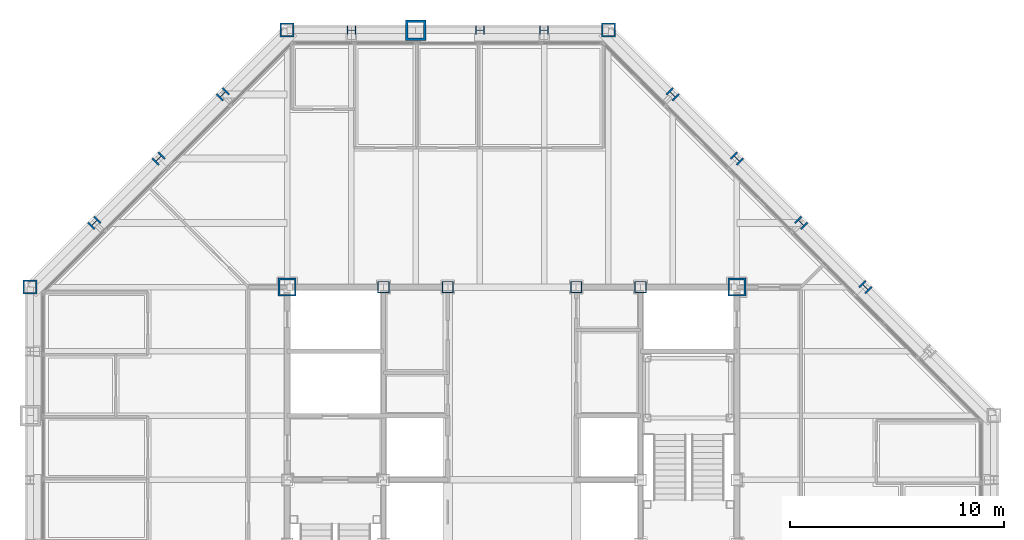
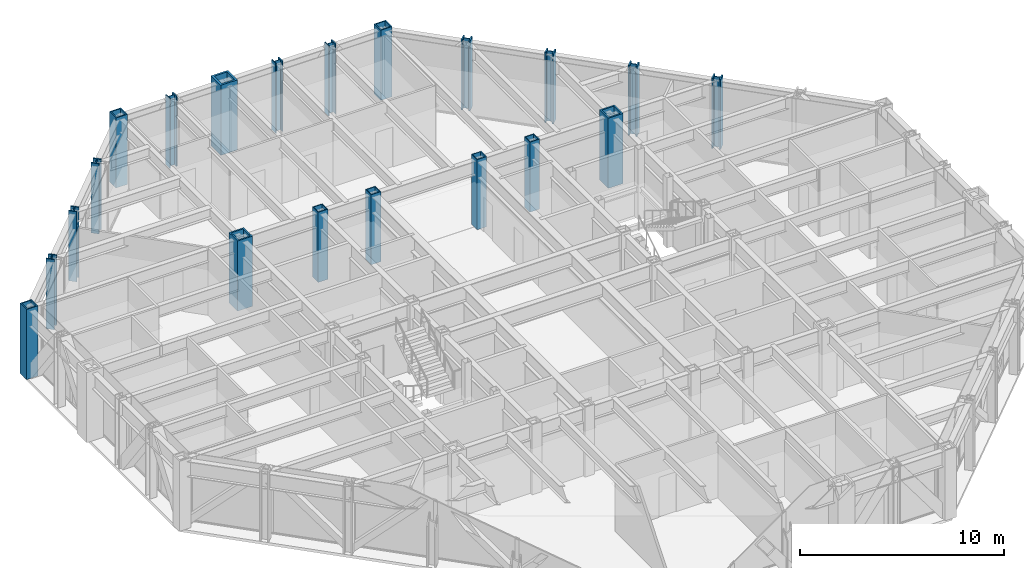
# One storey, part 4 of 16: 20 columns.
"""IFC4 building model written with IfcOpenShell, lengths in metres."""

from ifc_helpers import new_model, si_unit, direction, frame, origin, origin_2d, place, context, subcontext, project, spatial, hollow_rectangle, i_section, extrude, material, material_profile, profile_set, type_object, element, save


model = new_model("IFC4")

# Units and contexts
model_context = context("Model", 3, precision=1e-05, world=origin(), true_north=direction((0.0, 1.0)))
body_context = subcontext(model_context, "Body", "Model", "MODEL_VIEW")
ifc_project = project(units=[si_unit("LENGTHUNIT", "METRE"), si_unit("AREAUNIT", "SQUARE_METRE"), si_unit("VOLUMEUNIT", "CUBIC_METRE"), si_unit("PLANEANGLEUNIT", "RADIAN"), si_unit("MASSUNIT", "GRAM", prefix="KILO")], contexts=[model_context])

# Site, building, storey
site_placement = place(None, origin())
site = spatial("IfcSite", under=ifc_project, at=site_placement, CompositionType="ELEMENT")
building_placement = place(site_placement, origin())
building = spatial("IfcBuilding", under=site, at=building_placement, Name="Chuquiago Exchange Tower", CompositionType="ELEMENT")
storey_placement = place(building_placement, frame((0.0, 0.0, 218.10009765625)))
storey = spatial("IfcBuildingStorey", under=building, at=storey_placement, Name="L48", CompositionType="ELEMENT", Elevation=218.10009765625)

# Columns
ifc_material_1 = material(Name="Steel ASTM A992", Category="steel")
ifc_material_profile_1 = material_profile(ifc_material_1, i_section(OverallWidth=0.408935546875, OverallDepth=0.424072265625, WebThickness=0.03271484375, FlangeThickness=0.052490234375, at=origin_2d()), Name="W14X283")
ifc_profile_set_1 = profile_set([ifc_material_profile_1], Name="Steel ASTM A992")
column_type_1 = type_object("IfcColumnType", Name="C8 W14X283", PredefinedType="COLUMN", material=ifc_profile_set_1)
for number, where, z_axis, x_axis, name in (
    (1, (24.0, 45.0, 0.0), (0.0, 0.0, 1.0), (0.0, 1.0, 0.0), "COL-L48-24_45"),
    (2, (21.0, 45.0, 0.0), (0.0, 0.0, 1.0), (0.0, 1.0, 0.0), "COL-L48-21_45"),
    (3, (15.0, 45.0, 0.0), (0.0, 0.0, 1.0), (0.0, 1.0, 0.0), "COL-L48-15_45"),
):
    element("IfcColumn", number, at=place(storey_placement, frame(where, z_axis=z_axis, x_axis=x_axis)), inside=storey, type_object=column_type_1, Name=name, PredefinedType="COLUMN", context=body_context, shape_type="SweptSolid", body=[
        extrude(i_section(OverallWidth=0.408935546875, OverallDepth=0.424072265625, WebThickness=0.03271484375, FlangeThickness=0.052490234375, at=origin_2d()), origin(), (0.0, 0.0, 1.0), 4.199951171875),
    ])
ifc_material_2 = material(Name="Steel ASTM A572 Grade 50", Category="steel")
ifc_material_profile_2 = material_profile(ifc_material_2, hollow_rectangle(XDim=0.85009765625, YDim=0.85009765625, WallThickness=0.0849609375, at=origin_2d()), Name="BOX850X850X85")
ifc_profile_set_2 = profile_set([ifc_material_profile_2], Name="Steel ASTM A572 Grade 50")
column_type_2 = type_object("IfcColumnType", Name="CC6 BOX850X850X85", PredefinedType="COLUMN", material=ifc_profile_set_2)
for number, where, z_axis, x_axis, name in (
    (4, (12.0, 33.0, 0.0), (0.0, 0.0, 1.0), (1.0, 0.0, 0.0), "CCOL-L48-12_33"),
    (5, (33.0, 33.0, 0.0), (0.0, 0.0, 1.0), (1.0, 0.0, 0.0), "CCOL-L48-33_33"),
):
    element("IfcColumn", number, at=place(storey_placement, frame(where, z_axis=z_axis, x_axis=x_axis)), inside=storey, type_object=column_type_2, Name=name, PredefinedType="COLUMN", context=body_context, shape_type="SweptSolid", body=[
        extrude(hollow_rectangle(XDim=0.85009765625, YDim=0.85009765625, WallThickness=0.0849609375, at=origin_2d()), origin(), (0.0, 0.0, 1.0), 4.199951171875),
    ])
ifc_material_3 = material(Name="Steel ASTM A572 Grade 50", Category="steel")
ifc_material_profile_3 = material_profile(ifc_material_3, hollow_rectangle(XDim=0.550048828125, YDim=0.550048828125, WallThickness=0.044921875, at=origin_2d()), Name="BOX550X550X45")
ifc_profile_set_3 = profile_set([ifc_material_profile_3], Name="Steel ASTM A572 Grade 50")
column_type_3 = type_object("IfcColumnType", Name="CC8 BOX550X550X45", PredefinedType="COLUMN", material=ifc_profile_set_3)
for number, where, z_axis, x_axis, name in (
    (6, (16.5, 33.0, 0.0), (0.0, 0.0, 1.0), (1.0, 0.0, 0.0), "CCOL-L48-16.5_33"),
    (7, (19.5, 33.0, 0.0), (0.0, 0.0, 1.0), (1.0, 0.0, 0.0), "CCOL-L48-19.5_33"),
    (8, (25.5, 33.0, 0.0), (0.0, 0.0, 1.0), (1.0, 0.0, 0.0), "CCOL-L48-25.5_33"),
    (9, (28.5, 33.0, 0.0), (0.0, 0.0, 1.0), (1.0, 0.0, 0.0), "CCOL-L48-28.5_33"),
):
    element("IfcColumn", number, at=place(storey_placement, frame(where, z_axis=z_axis, x_axis=x_axis)), inside=storey, type_object=column_type_3, Name=name, PredefinedType="COLUMN", context=body_context, shape_type="SweptSolid", body=[
        extrude(hollow_rectangle(XDim=0.550048828125, YDim=0.550048828125, WallThickness=0.044921875, at=origin_2d()), origin(), (0.0, 0.0, 1.0), 4.199951171875),
    ])
ifc_material_4 = material(Name="Steel ASTM A992", Category="steel")
ifc_material_profile_4 = material_profile(ifc_material_4, i_section(OverallWidth=0.421630859375, OverallDepth=0.46484375, WebThickness=0.044921875, FlangeThickness=0.072509765625, at=origin_2d()), Name="W14X398")
ifc_profile_set_4 = profile_set([ifc_material_profile_4], Name="Steel ASTM A992")
column_type_4 = type_object("IfcColumnType", Name="CK7 W14X398", PredefinedType="COLUMN", material=ifc_profile_set_4)
for number, where, z_axis, x_axis, name in (
    (10, (39.0, 33.0, 0.0), (0.0, 0.0, 1.0), (0.707106781187, 0.707106781187, 0.0), "COL-L48-39_33"),
    (11, (36.0, 36.0, 0.0), (0.0, 0.0, 1.0), (0.707106781187, 0.707106781187, 0.0), "COL-L48-36_36"),
    (12, (33.0, 39.0, 0.0), (0.0, 0.0, 1.0), (0.707106781187, 0.707106781187, 0.0), "COL-L48-33_39"),
    (13, (30.0, 42.0, 0.0), (0.0, 0.0, 1.0), (0.707106781187, 0.707106781187, 0.0), "COL-L48-30_42"),
    (14, (9.0, 42.0, 0.0), (0.0, 0.0, 1.0), (-0.707106781187, 0.707106781187, 0.0), "COL-L48-9_42"),
    (15, (6.0, 39.0, 0.0), (0.0, 0.0, 1.0), (-0.707106781187, 0.707106781187, 0.0), "COL-L48-6_39"),
    (16, (3.0, 36.0, 0.0), (0.0, 0.0, 1.0), (-0.707106781187, 0.707106781187, 0.0), "COL-L48-3_36"),
):
    element("IfcColumn", number, at=place(storey_placement, frame(where, z_axis=z_axis, x_axis=x_axis)), inside=storey, type_object=column_type_4, Name=name, PredefinedType="COLUMN", context=body_context, shape_type="SweptSolid", body=[
        extrude(i_section(OverallWidth=0.421630859375, OverallDepth=0.46484375, WebThickness=0.044921875, FlangeThickness=0.072509765625, at=origin_2d()), origin(), (0.0, 0.0, 1.0), 4.199951171875),
    ])
ifc_material_5 = material(Name="Steel ASTM A572 Grade 50", Category="steel")
ifc_material_profile_5 = material_profile(ifc_material_5, hollow_rectangle(XDim=0.64990234375, YDim=0.64990234375, WallThickness=0.06494140625, at=origin_2d()), Name="BOX650X650X65")
ifc_profile_set_5 = profile_set([ifc_material_profile_5], Name="Steel ASTM A572 Grade 50")
column_type_5 = type_object("IfcColumnType", Name="CN2 BOX650X650X65", PredefinedType="COLUMN", material=ifc_profile_set_5)
for number, where, z_axis, x_axis, name in (
    (17, (27.0, 45.0, 0.0), (0.0, 0.0, 1.0), (0.0, 1.0, 0.0), "COL-L48-27_45"),
    (18, (12.0, 45.0, 0.0), (0.0, 0.0, 1.0), (0.0, 1.0, 0.0), "COL-L48-12_45"),
    (19, (0.0, 33.0, 0.0), (0.0, 0.0, 1.0), (-1.0, 0.0, 0.0), "COL-L48-0_33"),
):
    element("IfcColumn", number, at=place(storey_placement, frame(where, z_axis=z_axis, x_axis=x_axis)), inside=storey, type_object=column_type_5, Name=name, PredefinedType="COLUMN", context=body_context, shape_type="SweptSolid", body=[
        extrude(hollow_rectangle(XDim=0.64990234375, YDim=0.64990234375, WallThickness=0.06494140625, at=origin_2d()), origin(), (0.0, 0.0, 1.0), 4.199951171875),
    ])
ifc_material_6 = material(Name="Steel ASTM A572 Grade 42", Category="steel")
ifc_material_profile_6 = material_profile(ifc_material_6, hollow_rectangle(XDim=0.949951171875, YDim=0.949951171875, WallThickness=0.110107421875, at=origin_2d()), Name="BOX950X950X110")
ifc_profile_set_6 = profile_set([ifc_material_profile_6], Name="Steel ASTM A572 Grade 42")
column_type_6 = type_object("IfcColumnType", Name="CT1 BOX950X950X110", PredefinedType="COLUMN", material=ifc_profile_set_6)
column_placement = place(storey_placement, frame((18.0, 45.0, 0.0), z_axis=(0.0, 0.0, 1.0), x_axis=(0.0, 1.0, 0.0)))
element("IfcColumn", 20, at=column_placement, inside=storey, type_object=column_type_6, Name="COL-L48-18_45", PredefinedType="COLUMN", context=body_context, shape_type="SweptSolid", body=[
    extrude(hollow_rectangle(XDim=0.949951171875, YDim=0.949951171875, WallThickness=0.110107421875, at=origin_2d()), origin(), (0.0, 0.0, 1.0), 4.199951171875),
])

save(model, "model.ifc")
